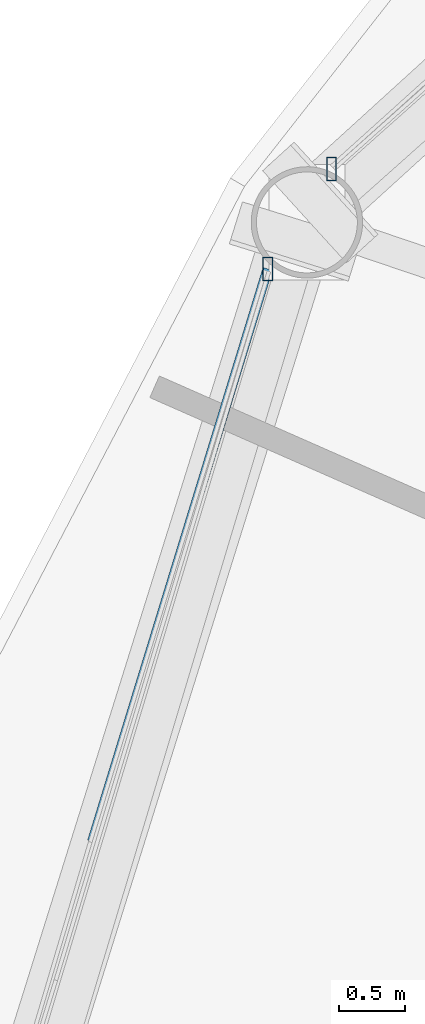
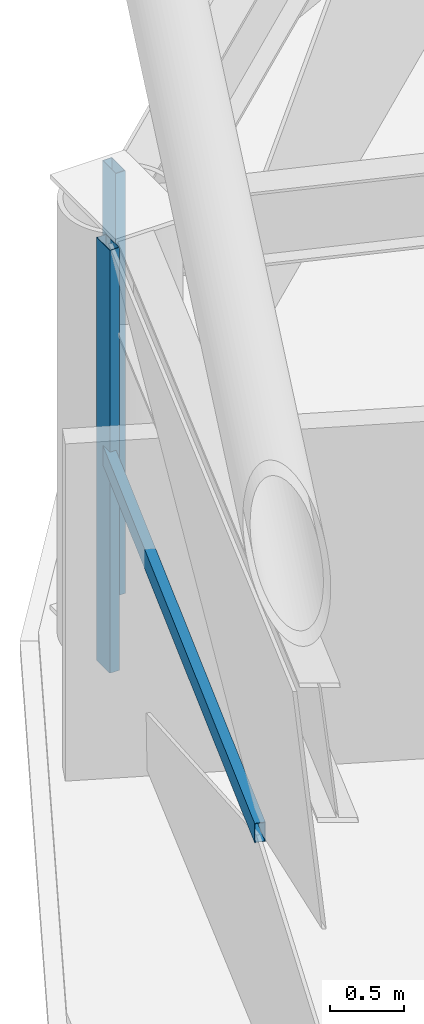
# One storey, part 13 of 33: 3 members, 2 elements without a shape of their own.
"""IFC4 building model written with IfcOpenShell, lengths in metres."""

from ifc_helpers import new_model, si_unit, direction, frame, origin, origin_2d, place, context, subcontext, project, spatial, hollow_rectangle, extrude, material, layer, layer_set, material_profile, profile_set, type_object, element, aggregate, save


model = new_model("IFC4")

# Units and contexts
model_context = context("Model", 3, precision=1e-05, world=origin(), true_north=direction((0.0, 1.0)))
body_context = subcontext(model_context, "Body", "Model", "MODEL_VIEW")
ifc_project = project(units=[si_unit("LENGTHUNIT", "METRE"), si_unit("AREAUNIT", "SQUARE_METRE"), si_unit("VOLUMEUNIT", "CUBIC_METRE"), si_unit("PLANEANGLEUNIT", "RADIAN"), si_unit("MASSUNIT", "GRAM", prefix="KILO")], contexts=[model_context])

# Site, building, storey
site_placement = place(None, origin())
site = spatial("IfcSite", under=ifc_project, at=site_placement, CompositionType="ELEMENT")
building_placement = place(site_placement, origin())
building = spatial("IfcBuilding", under=site, at=building_placement, Name="Vantalir Tower", CompositionType="ELEMENT")
storey_placement = place(building_placement, frame((0.0, 0.0, 72.0)))
storey = spatial("IfcBuildingStorey", under=building, at=storey_placement, Name="L17", CompositionType="ELEMENT", Elevation=72.0)

# Curtain wall, member
ifc_material_1 = material(Name="Champagne-silver PVDF aluminium and double-silver Low-E glass", Category="aluminium")
ifc_layer = layer(ifc_material_1, 0.18994140625)
ifc_layer_set = layer_set([ifc_layer], Name="Champagne-silver PVDF aluminium and double-silver Low-E glass")
curtain_wall_type = type_object("IfcCurtainWallType", Name="CW-DIAMOND-Z1", PredefinedType="USERDEFINED", material=ifc_layer_set)
curtain_wall_1_placement = place(storey_placement, origin())
curtain_wall_1 = element("IfcCurtainWall", 1, at=curtain_wall_1_placement, inside=storey, type_object=curtain_wall_type, Name="L17 Quilted Pyramid-Diamond Curtain Wall S05", ObjectType="UNITISED CURTAIN WALL", PredefinedType="USERDEFINED")
ifc_material_2 = material(Name="Champagne-silver PVDF aluminium 6063-T6", Category="aluminium")
ifc_material_profile_1 = material_profile(ifc_material_2, hollow_rectangle(XDim=0.074951171875, YDim=0.179931640625, WallThickness=0.00390625, at=origin_2d()), Name="Champagne-silver PVDF aluminium 6063-T6")
ifc_profile_set_1 = profile_set([ifc_material_profile_1], Name="Champagne-silver PVDF aluminium 6063-T6")
member_type_1 = type_object("IfcMemberType", Name="CWM-180x75", PredefinedType="MULLION", material=ifc_profile_set_1)
member_1_placement = place(storey_placement, frame((7.740966796875, 37.721923828125, 0.044921875), z_axis=(0.0, 0.0, 1.0), x_axis=(1.0, 0.0, 0.0)))
member_1 = element("IfcMember", 2, at=member_1_placement, type_object=member_type_1, Name="CW-L17-S05 Mullion 2", PredefinedType="MULLION", context=body_context, shape_type="SweptSolid", body=[
    extrude(hollow_rectangle(XDim=0.074951171875, YDim=0.179931640625, WallThickness=0.00390625, at=origin_2d()), origin(), (0.0, 0.0, 1.0), 3.47998046875),
])
aggregate(curtain_wall_1, [member_1])

# Curtain wall, members
curtain_wall_2_placement = place(storey_placement, origin())
curtain_wall_2 = element("IfcCurtainWall", 3, at=curtain_wall_2_placement, inside=storey, type_object=curtain_wall_type, Name="L17 Quilted Pyramid-Diamond Curtain Wall S06", ObjectType="UNITISED CURTAIN WALL", PredefinedType="USERDEFINED")
member_2_placement = place(storey_placement, frame((7.2548828125, 36.958984375, 0.044921875), z_axis=(0.0, 0.0, 1.0), x_axis=(1.0, 0.0, 0.0)))
member_2 = element("IfcMember", 4, at=member_2_placement, type_object=member_type_1, Name="CW-L17-S06 Mullion 1", PredefinedType="MULLION", context=body_context, shape_type="SweptSolid", body=[
    extrude(hollow_rectangle(XDim=0.074951171875, YDim=0.179931640625, WallThickness=0.00390625, at=origin_2d()), origin(), (0.0, 0.0, 1.0), 3.47998046875),
])
ifc_material_profile_2 = material_profile(ifc_material_2, hollow_rectangle(XDim=0.074951171875, YDim=0.159912109375, WallThickness=0.00390625, at=origin_2d()), Name="Champagne-silver PVDF aluminium 6063-T6")
ifc_profile_set_2 = profile_set([ifc_material_profile_2], Name="Champagne-silver PVDF aluminium 6063-T6")
member_type_2 = type_object("IfcMemberType", Name="CWT-160x75", PredefinedType="USERDEFINED", material=ifc_profile_set_2)
member_3_placement = place(storey_placement, frame((7.2548828125, 36.958984375, 1.784912109375), z_axis=(-0.292928712339, -0.956134284234, 0.0), x_axis=(0.956134284234, -0.292928712339, 0.0)))
member_3 = element("IfcMember", 5, at=member_3_placement, type_object=member_type_2, Name="CW-L17-S06 Pyramid Fold Ridge Transom", ObjectType="TRANSOM", PredefinedType="USERDEFINED", context=body_context, shape_type="SweptSolid", body=[
    extrude(hollow_rectangle(XDim=0.074951171875, YDim=0.159912109375, WallThickness=0.00390625, at=origin_2d()), origin(), (0.0, 0.0, 1.0), 4.5673828125),
])
aggregate(curtain_wall_2, [member_2, member_3])

save(model, "model.ifc")
